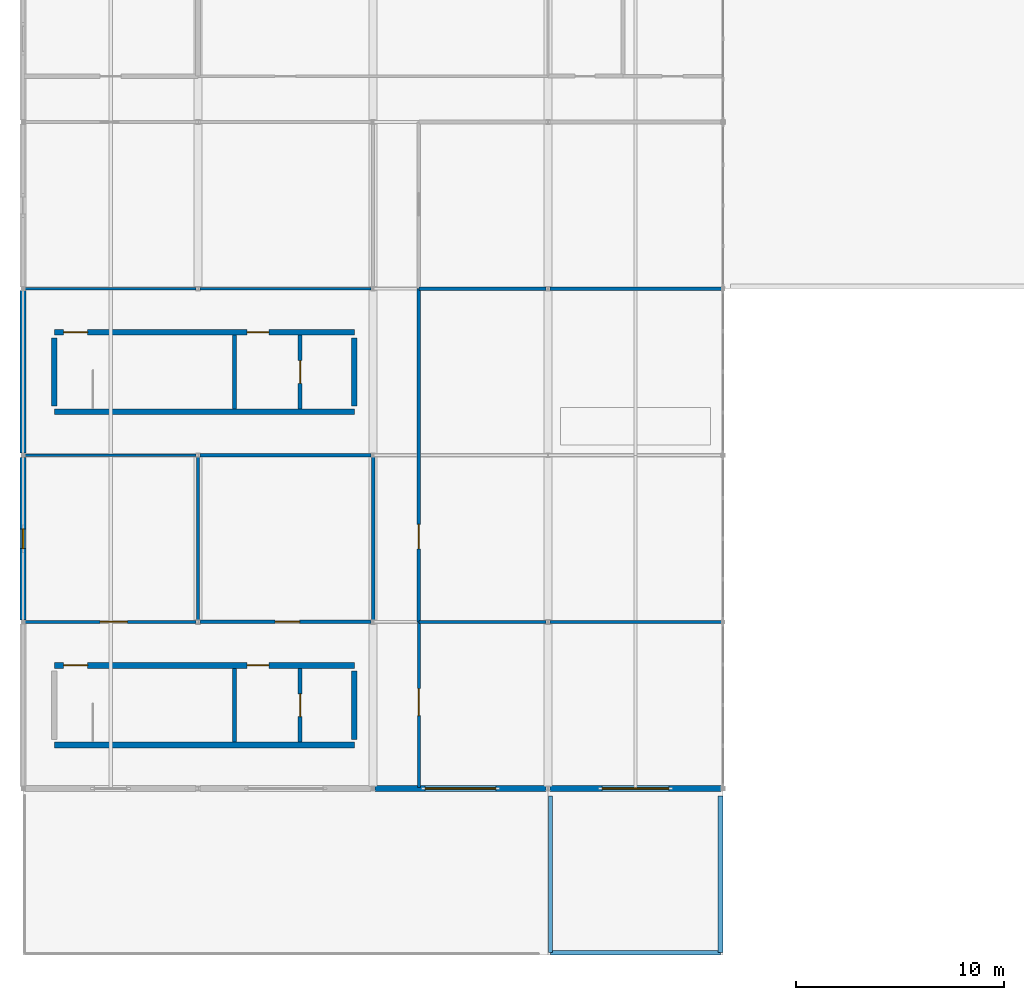
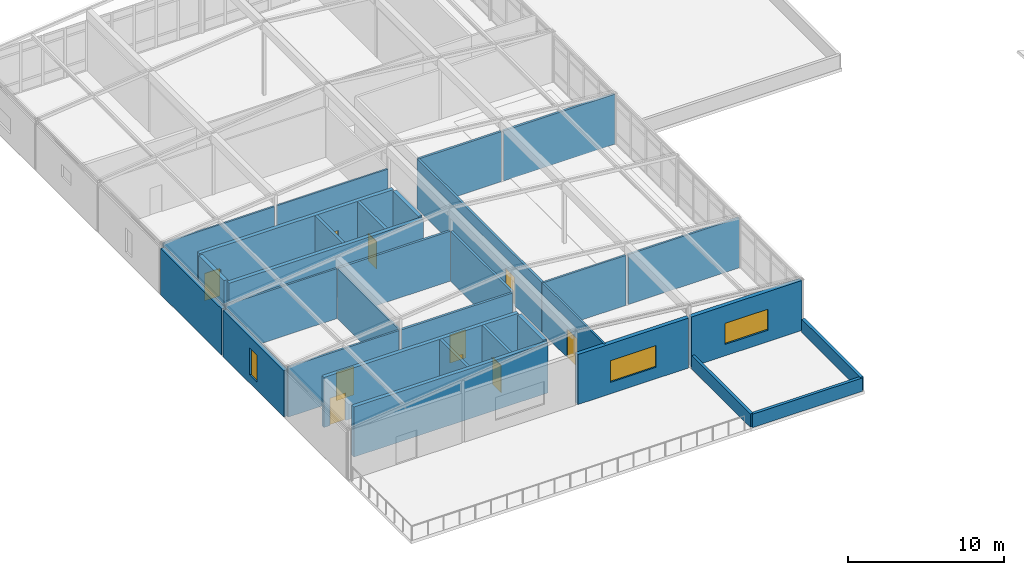
# One storey, part 18 of 25: 32 walls, 10 doors, 3 windows, 13 openings.
"""IFC4 building model written with IfcOpenShell, lengths in metres."""

from ifc_helpers import new_model, si_unit, direction, frame, frame_2d, origin, place, context, subcontext, project, spatial, rectangle, extrude, material, layer, layer_set, type_object, element, fill, save


model = new_model("IFC4")

# Units and contexts
model_context = context("Model", 3, precision=1e-05, world=origin(), true_north=direction((0.0, 1.0)))
body_context = subcontext(model_context, "Body", "Model", "MODEL_VIEW")
ifc_project = project(units=[si_unit("LENGTHUNIT", "METRE"), si_unit("AREAUNIT", "SQUARE_METRE"), si_unit("VOLUMEUNIT", "CUBIC_METRE"), si_unit("PLANEANGLEUNIT", "RADIAN"), si_unit("MASSUNIT", "GRAM", prefix="KILO")], contexts=[model_context])

# Site, building, storey
site_placement = place(None, origin())
site = spatial("IfcSite", under=ifc_project, at=site_placement, CompositionType="ELEMENT")
building_placement = place(site_placement, origin())
building = spatial("IfcBuilding", under=site, at=building_placement, Name="Kranzveld Transit Interchange", CompositionType="ELEMENT")
storey_placement = place(building_placement, frame((0.0, 0.0, 21.0400390625)))
storey = spatial("IfcBuildingStorey", under=building, at=storey_placement, Name="L05", CompositionType="ELEMENT", Elevation=21.0400390625)

# Wall, opening, door
ifc_material_1 = material(Name="Clay masonry unit wall, 20 MPa", Category="masonry")
ifc_layer_1 = layer(ifc_material_1, 0.1650390625)
ifc_layer_set_1 = layer_set([ifc_layer_1], Name="Clay masonry unit wall, 20 MPa")
wall_type_1 = type_object("IfcWallType", Name="Acoustic Double-Stud Partition 165", PredefinedType="PARTITIONING", material=ifc_layer_set_1)
wall_1_placement = place(storey_placement, frame((19.0, 72.0, 0.0), z_axis=(0.0, 0.0, 1.0), x_axis=(0.0, 1.0, 0.0)))
wall_1 = element("IfcWall", 1, at=wall_1_placement, inside=storey, type_object=wall_type_1, Name="L05 Partition IW-L05-L05E-FRT-502-0", PredefinedType="PARTITIONING", context=body_context, shape_type="SweptSolid", body=[
    extrude(rectangle(XDim=16.0, YDim=0.1650390625, at=frame_2d((8.0, 0.0))), origin(), (0.0, 0.0, 1.0), 3.919921875),
])
opening_1_placement = place(wall_1_placement, frame((4.679931640625, 0.0, 0.0), z_axis=(0.0, 0.0, 1.0), x_axis=(-1.0, 0.0, 0.0)))
opening_1 = element("IfcOpeningElement", 2, at=opening_1_placement, cuts=wall_1, Name="Opening D-502", PredefinedType="OPENING", context=body_context, shape_type="SweptSolid", body=[
    extrude(rectangle(XDim=1.179931640625, YDim=2.219970703125, at=frame_2d((0.58984375, 1.10986328125))), frame((0.0, 0.092529296875, 0.0), z_axis=(0.0, -1.0, 0.0), x_axis=(1.0, 0.0, 0.0)), (0.0, 0.0, 1.0), 0.18505859375),
])
ifc_material_2 = material(Name="Bronze-anodised thermally broken aluminium", Category="aluminium")
door_type_1 = type_object("IfcDoorType", Name="Boardroom Acoustic Door 1180x2220", OperationType="NOTDEFINED", PredefinedType="DOOR", material=ifc_material_2)
door_1_placement = place(opening_1_placement, origin())
door_1 = element("IfcDoor", 3, at=door_1_placement, inside=storey, type_object=door_type_1, Name="L05 Interior Door D-502", OperationType="SINGLE_SWING_RIGHT", OverallHeight=2.219970703125, OverallWidth=1.179931640625, PredefinedType="DOOR", context=body_context, shape_type="SweptSolid", body=[
    extrude(rectangle(XDim=1.179931640625, YDim=2.219970703125, at=frame_2d((0.58984375, 1.10986328125))), frame((0.0, 0.02490234375, 0.0), z_axis=(0.0, -1.0, 0.0), x_axis=(1.0, 0.0, 0.0)), (0.0, 0.0, 1.0), 0.050048828125),
])
fill(opening_1, door_1)

wall_2_placement = place(storey_placement, frame((8.49169921875, 72.0, 0.0), z_axis=(0.0, 0.0, 1.0), x_axis=(1.0, 0.0, 0.0)))
wall_2 = element("IfcWall", 4, at=wall_2_placement, inside=storey, type_object=wall_type_1, Name="L05 Partition IW-L05-L05M-FRT-505-0", PredefinedType="PARTITIONING", context=body_context, shape_type="SweptSolid", body=[
    extrude(rectangle(XDim=8.216552734375, YDim=0.1650390625, at=frame_2d((4.1083984375, 0.0))), origin(), (0.0, 0.0, 1.0), 3.919921875),
])
opening_2_placement = place(wall_2_placement, frame((3.608154296875, 0.0, 0.0), z_axis=(0.0, 0.0, 1.0), x_axis=(1.0, 0.0, 0.0)))
opening_2 = element("IfcOpeningElement", 5, at=opening_2_placement, cuts=wall_2, Name="Opening D-505", PredefinedType="OPENING", context=body_context, shape_type="SweptSolid", body=[
    extrude(rectangle(XDim=1.179931640625, YDim=2.219970703125, at=frame_2d((0.58984375, 1.10986328125))), frame((0.0, 0.092529296875, 0.0), z_axis=(0.0, -1.0, 0.0), x_axis=(1.0, 0.0, 0.0)), (0.0, 0.0, 1.0), 0.18505859375),
])
door_2_placement = place(opening_2_placement, origin())
door_2 = element("IfcDoor", 6, at=door_2_placement, inside=storey, type_object=door_type_1, Name="L05 Interior Door D-505", OperationType="SINGLE_SWING_RIGHT", OverallHeight=2.219970703125, OverallWidth=1.179931640625, PredefinedType="DOOR", context=body_context, shape_type="SweptSolid", body=[
    extrude(rectangle(XDim=1.179931640625, YDim=2.219970703125, at=frame_2d((0.58984375, 1.10986328125))), frame((0.0, 0.02490234375, 0.0), z_axis=(0.0, -1.0, 0.0), x_axis=(1.0, 0.0, 0.0)), (0.0, 0.0, 1.0), 0.050048828125),
])
fill(opening_2, door_2)

# Walls
wall_3_placement = place(storey_placement, frame((19.0, 88.0, 0.0), z_axis=(0.0, 0.0, 1.0), x_axis=(1.0, 0.0, 0.0)))
element("IfcWall", 7, at=wall_3_placement, inside=storey, type_object=wall_type_1, Name="L05 Partition IW-L05-L05E-N-502-0", PredefinedType="PARTITIONING", context=body_context, shape_type="SweptSolid", body=[
    extrude(rectangle(XDim=6.108154296875, YDim=0.1650390625, at=frame_2d((3.05419921875, 0.0))), origin(), (0.0, 0.0, 1.0), 3.919921875),
])
wall_4_placement = place(storey_placement, frame((25.291748046875, 88.0, 0.0), z_axis=(0.0, 0.0, 1.0), x_axis=(1.0, 0.0, 0.0)))
element("IfcWall", 8, at=wall_4_placement, inside=storey, type_object=wall_type_1, Name="L05 Partition IW-L05-L05E-N-502-1", PredefinedType="PARTITIONING", context=body_context, shape_type="SweptSolid", body=[
    extrude(rectangle(XDim=8.228271484375, YDim=0.1650390625, at=frame_2d((4.1142578125, 0.0))), origin(), (0.0, 0.0, 1.0), 3.919921875),
])
wall_5_placement = place(storey_placement, frame((8.49169921875, 80.0, 0.0), z_axis=(0.0, 0.0, 1.0), x_axis=(1.0, 0.0, 0.0)))
element("IfcWall", 9, at=wall_5_placement, inside=storey, type_object=wall_type_1, Name="L05 Partition IW-L05-L05M-BCK-505-0", PredefinedType="PARTITIONING", context=body_context, shape_type="SweptSolid", body=[
    extrude(rectangle(XDim=8.216552734375, YDim=0.1650390625, at=frame_2d((4.1083984375, 0.0))), origin(), (0.0, 0.0, 1.0), 3.919921875),
])
wall_6_placement = place(storey_placement, frame((16.800048828125, 72.091552734375, 0.0), z_axis=(0.0, 0.0, 1.0), x_axis=(0.0, 1.0, 0.0)))
element("IfcWall", 10, at=wall_6_placement, inside=storey, type_object=wall_type_1, Name="L05 Partition IW-L05-L05M-E-505-0", PredefinedType="PARTITIONING", context=body_context, shape_type="SweptSolid", body=[
    extrude(rectangle(XDim=7.81689453125, YDim=0.1650390625, at=frame_2d((3.908447265625, 0.0))), origin(), (0.0, 0.0, 1.0), 3.919921875),
])

# Wall, opening, door
ifc_material_3 = material(Name="Clay masonry unit wall, 20 MPa", Category="masonry")
ifc_layer_2 = layer(ifc_material_3, 0.139892578125)
ifc_layer_set_2 = layer_set([ifc_layer_2], Name="Clay masonry unit wall, 20 MPa")
wall_type_2 = type_object("IfcWallType", Name="Acoustic Stud Partition 140", PredefinedType="PARTITIONING", material=ifc_layer_set_2)
wall_7_placement = place(storey_placement, frame((19.0, 64.0400390625, 0.0), z_axis=(0.0, 0.0, 1.0), x_axis=(0.0, 1.0, 0.0)))
wall_7 = element("IfcWall", 11, at=wall_7_placement, inside=storey, type_object=wall_type_2, Name="L05 Partition IW-L05-L05E-FRT-503-0", PredefinedType="PARTITIONING", context=body_context, shape_type="SweptSolid", body=[
    extrude(rectangle(XDim=7.9599609375, YDim=0.139892578125, at=frame_2d((3.97998046875, 0.0))), origin(), (0.0, 0.0, 1.0), 3.919921875),
])
opening_3_placement = place(wall_7_placement, frame((4.760009765625, 0.0, 0.0), z_axis=(0.0, 0.0, 1.0), x_axis=(-1.0, 0.0, 0.0)))
opening_3 = element("IfcOpeningElement", 12, at=opening_3_placement, cuts=wall_7, Name="Opening D-503", PredefinedType="OPENING", context=body_context, shape_type="SweptSolid", body=[
    extrude(rectangle(XDim=1.300048828125, YDim=2.25, at=frame_2d((0.64990234375, 1.125))), frame((0.0, 0.079833984375, 0.0), z_axis=(0.0, -1.0, 0.0), x_axis=(1.0, 0.0, 0.0)), (0.0, 0.0, 1.0), 0.159912109375),
])
ifc_material_4 = material(Name="Bronze-anodised thermally broken aluminium", Category="aluminium")
door_type_2 = type_object("IfcDoorType", Name="Exhibition Double Leaf Door 1300x2250", OperationType="NOTDEFINED", PredefinedType="DOOR", material=ifc_material_4)
door_3_placement = place(opening_3_placement, origin())
door_3 = element("IfcDoor", 13, at=door_3_placement, inside=storey, type_object=door_type_2, Name="L05 Interior Door D-503", OperationType="SINGLE_SWING_LEFT", OverallHeight=2.25, OverallWidth=1.300048828125, PredefinedType="DOOR", context=body_context, shape_type="SweptSolid", body=[
    extrude(rectangle(XDim=1.300048828125, YDim=2.25, at=frame_2d((0.64990234375, 1.125))), frame((0.0, 0.02490234375, 0.0), z_axis=(0.0, -1.0, 0.0), x_axis=(1.0, 0.0, 0.0)), (0.0, 0.0, 1.0), 0.050048828125),
])
fill(opening_3, door_3)

wall_8_placement = place(storey_placement, frame((0.080078125, 72.0, 0.0), z_axis=(0.0, 0.0, 1.0), x_axis=(1.0, 0.0, 0.0)))
wall_8 = element("IfcWall", 14, at=wall_8_placement, inside=storey, type_object=wall_type_2, Name="L05 Partition IW-L05-L05M-FRT-504-0", PredefinedType="PARTITIONING", context=body_context, shape_type="SweptSolid", body=[
    extrude(rectangle(XDim=8.22802734375, YDim=0.139892578125, at=frame_2d((4.114013671875, 0.0))), origin(), (0.0, 0.0, 1.0), 3.919921875),
])
opening_4_placement = place(wall_8_placement, frame((3.6201171875, 0.0, 0.0), z_axis=(0.0, 0.0, 1.0), x_axis=(1.0, 0.0, 0.0)))
opening_4 = element("IfcOpeningElement", 15, at=opening_4_placement, cuts=wall_8, Name="Opening D-504", PredefinedType="OPENING", context=body_context, shape_type="SweptSolid", body=[
    extrude(rectangle(XDim=1.300048828125, YDim=2.25, at=frame_2d((0.64990234375, 1.125))), frame((0.0, 0.079833984375, 0.0), z_axis=(0.0, -1.0, 0.0), x_axis=(1.0, 0.0, 0.0)), (0.0, 0.0, 1.0), 0.159912109375),
])
door_4_placement = place(opening_4_placement, origin())
door_4 = element("IfcDoor", 16, at=door_4_placement, inside=storey, type_object=door_type_2, Name="L05 Interior Door D-504", OperationType="SINGLE_SWING_LEFT", OverallHeight=2.25, OverallWidth=1.300048828125, PredefinedType="DOOR", context=body_context, shape_type="SweptSolid", body=[
    extrude(rectangle(XDim=1.300048828125, YDim=2.25, at=frame_2d((0.64990234375, 1.125))), frame((0.0, 0.02490234375, 0.0), z_axis=(0.0, -1.0, 0.0), x_axis=(1.0, 0.0, 0.0)), (0.0, 0.0, 1.0), 0.050048828125),
])
fill(opening_4, door_4)

# Walls
wall_9_placement = place(storey_placement, frame((19.0, 72.0, 0.0), z_axis=(0.0, 0.0, 1.0), x_axis=(1.0, 0.0, 0.0)))
element("IfcWall", 17, at=wall_9_placement, inside=storey, type_object=wall_type_2, Name="L05 Partition IW-L05-L05E-N-503-0", PredefinedType="PARTITIONING", context=body_context, shape_type="SweptSolid", body=[
    extrude(rectangle(XDim=6.108154296875, YDim=0.139892578125, at=frame_2d((3.05419921875, 0.0))), origin(), (0.0, 0.0, 1.0), 3.919921875),
])
wall_10_placement = place(storey_placement, frame((25.291748046875, 72.0, 0.0), z_axis=(0.0, 0.0, 1.0), x_axis=(1.0, 0.0, 0.0)))
element("IfcWall", 18, at=wall_10_placement, inside=storey, type_object=wall_type_2, Name="L05 Partition IW-L05-L05E-N-503-1", PredefinedType="PARTITIONING", context=body_context, shape_type="SweptSolid", body=[
    extrude(rectangle(XDim=8.228271484375, YDim=0.139892578125, at=frame_2d((4.1142578125, 0.0))), origin(), (0.0, 0.0, 1.0), 3.919921875),
])
wall_11_placement = place(storey_placement, frame((0.090087890625, 80.0, 0.0), z_axis=(0.0, 0.0, 1.0), x_axis=(1.0, 0.0, 0.0)))
element("IfcWall", 19, at=wall_11_placement, inside=storey, type_object=wall_type_2, Name="L05 Partition IW-L05-L05M-BCK-504-0", PredefinedType="PARTITIONING", context=body_context, shape_type="SweptSolid", body=[
    extrude(rectangle(XDim=8.218017578125, YDim=0.139892578125, at=frame_2d((4.10888671875, 0.0))), origin(), (0.0, 0.0, 1.0), 3.919921875),
])
wall_12_placement = place(storey_placement, frame((8.39990234375, 72.091552734375, 0.0), z_axis=(0.0, 0.0, 1.0), x_axis=(0.0, 1.0, 0.0)))
element("IfcWall", 20, at=wall_12_placement, inside=storey, type_object=wall_type_2, Name="L05 Partition IW-L05-L05M-E-504-0", PredefinedType="PARTITIONING", context=body_context, shape_type="SweptSolid", body=[
    extrude(rectangle(XDim=7.81689453125, YDim=0.139892578125, at=frame_2d((3.908447265625, 0.0))), origin(), (0.0, 0.0, 1.0), 3.919921875),
])
ifc_material_5 = material(Name="Concrete C40/50", Category="concrete")
ifc_layer_3 = layer(ifc_material_5, 0.27490234375)
ifc_layer_set_3 = layer_set([ifc_layer_3], Name="Concrete C40/50")
wall_type_3 = type_object("IfcWallType", Name="Core Upper Wall RC 275 C40/50", PredefinedType="SHEAR", material=ifc_layer_set_3)
wall_13_placement = place(storey_placement, frame((1.5, 66.090087890625, 0.0), z_axis=(0.0, 0.0, 1.0), x_axis=(1.0, 0.0, 0.0)))
element("IfcWall", 21, at=wall_13_placement, inside=storey, type_object=wall_type_3, Name="L05 Operations Core C1 Shear Wall S", PredefinedType="SHEAR", context=body_context, shape_type="SweptSolid", body=[
    extrude(rectangle(XDim=14.39990234375, YDim=0.27490234375, at=frame_2d((7.199951171875, 0.0))), origin(), (0.0, 0.0, 1.0), 3.919921875),
])

# Wall, openings, doors
wall_14_placement = place(storey_placement, frame((1.5, 69.909912109375, 0.0), z_axis=(0.0, 0.0, 1.0), x_axis=(1.0, 0.0, 0.0)))
wall_14 = element("IfcWall", 22, at=wall_14_placement, inside=storey, type_object=wall_type_3, Name="L05 Operations Core C1 Shear Wall N", PredefinedType="SHEAR", context=body_context, shape_type="SweptSolid", body=[
    extrude(rectangle(XDim=14.39990234375, YDim=0.27490234375, at=frame_2d((7.199951171875, 0.0))), origin(), (0.0, 0.0, 1.0), 3.919921875),
])
opening_5_placement = place(wall_14_placement, frame((0.449951171875, 0.0, 0.0), z_axis=(0.0, 0.0, 1.0), x_axis=(1.0, 0.0, 0.0)))
opening_5 = element("IfcOpeningElement", 23, at=opening_5_placement, cuts=wall_14, Name="Opening D-ST-C1-L05", PredefinedType="OPENING", context=body_context, shape_type="SweptSolid", body=[
    extrude(rectangle(XDim=1.14990234375, YDim=2.14990234375, at=frame_2d((0.574951171875, 1.074951171875))), frame((0.0, 0.1474609375, 0.0), z_axis=(0.0, -1.0, 0.0), x_axis=(1.0, 0.0, 0.0)), (0.0, 0.0, 1.0), 0.294921875),
])
opening_6_placement = place(wall_14_placement, frame((9.25, 0.0, 0.0), z_axis=(0.0, 0.0, 1.0), x_axis=(1.0, 0.0, 0.0)))
opening_6 = element("IfcOpeningElement", 24, at=opening_6_placement, cuts=wall_14, Name="Opening D-LB-C1-L05", PredefinedType="OPENING", context=body_context, shape_type="SweptSolid", body=[
    extrude(rectangle(XDim=1.050048828125, YDim=2.14990234375, at=frame_2d((0.52490234375, 1.074951171875))), frame((0.0, 0.1474609375, 0.0), z_axis=(0.0, -1.0, 0.0), x_axis=(1.0, 0.0, 0.0)), (0.0, 0.0, 1.0), 0.294921875),
])
ifc_material_6 = material(Name="Steel S355JR", Category="steel")
door_type_3 = type_object("IfcDoorType", Name="Lift Lobby Fire Door 1050x2150 FD120S", OperationType="NOTDEFINED", PredefinedType="DOOR", material=ifc_material_6)
door_5_placement = place(opening_6_placement, origin())
door_5 = element("IfcDoor", 25, at=door_5_placement, inside=storey, type_object=door_type_3, Name="L05 Operations Core C1 Lift Protected Lobby Door", OperationType="SINGLE_SWING_RIGHT", OverallHeight=2.14990234375, OverallWidth=1.050048828125, PredefinedType="DOOR", context=body_context, shape_type="SweptSolid", body=[
    extrude(rectangle(XDim=1.050048828125, YDim=2.14990234375, at=frame_2d((0.52490234375, 1.074951171875))), frame((0.0, 0.02490234375, 0.0), z_axis=(0.0, -1.0, 0.0), x_axis=(1.0, 0.0, 0.0)), (0.0, 0.0, 1.0), 0.050048828125),
])
fill(opening_6, door_5)
ifc_material_7 = material(Name="Steel S355JR", Category="steel")
door_type_4 = type_object("IfcDoorType", Name="Stair Core Fire Door 1150x2150 FD120S", OperationType="NOTDEFINED", PredefinedType="DOOR", material=ifc_material_7)
door_6_placement = place(opening_5_placement, origin())
door_6 = element("IfcDoor", 26, at=door_6_placement, inside=storey, type_object=door_type_4, Name="L05 ST-C1 Protected Stair Door", OperationType="SINGLE_SWING_RIGHT", OverallHeight=2.14990234375, OverallWidth=1.14990234375, PredefinedType="DOOR", context=body_context, shape_type="SweptSolid", body=[
    extrude(rectangle(XDim=1.14990234375, YDim=2.14990234375, at=frame_2d((0.574951171875, 1.074951171875))), frame((0.0, 0.02490234375, 0.0), z_axis=(0.0, -1.0, 0.0), x_axis=(1.0, 0.0, 0.0)), (0.0, 0.0, 1.0), 0.050048828125),
])
fill(opening_5, door_6)

# Walls
wall_15_placement = place(storey_placement, frame((15.89990234375, 66.364990234375, 0.0), z_axis=(0.0, 0.0, 1.0), x_axis=(0.0, 1.0, 0.0)))
element("IfcWall", 27, at=wall_15_placement, inside=storey, type_object=wall_type_3, Name="L05 Operations Core C1 Shear Wall E", PredefinedType="SHEAR", context=body_context, shape_type="SweptSolid", body=[
    extrude(rectangle(XDim=3.27001953125, YDim=0.27490234375, at=frame_2d((1.635009765625, 0.0))), origin(), (0.0, 0.0, 1.0), 3.919921875),
])
wall_16_placement = place(storey_placement, frame((1.5, 82.090087890625, 0.0), z_axis=(0.0, 0.0, 1.0), x_axis=(1.0, 0.0, 0.0)))
element("IfcWall", 28, at=wall_16_placement, inside=storey, type_object=wall_type_3, Name="L05 Operations Core C2 Shear Wall S", PredefinedType="SHEAR", context=body_context, shape_type="SweptSolid", body=[
    extrude(rectangle(XDim=14.39990234375, YDim=0.27490234375, at=frame_2d((7.199951171875, 0.0))), origin(), (0.0, 0.0, 1.0), 3.919921875),
])

# Wall, openings, doors
wall_17_placement = place(storey_placement, frame((1.5, 85.909912109375, 0.0), z_axis=(0.0, 0.0, 1.0), x_axis=(1.0, 0.0, 0.0)))
wall_17 = element("IfcWall", 29, at=wall_17_placement, inside=storey, type_object=wall_type_3, Name="L05 Operations Core C2 Shear Wall N", PredefinedType="SHEAR", context=body_context, shape_type="SweptSolid", body=[
    extrude(rectangle(XDim=14.39990234375, YDim=0.27490234375, at=frame_2d((7.199951171875, 0.0))), origin(), (0.0, 0.0, 1.0), 3.919921875),
])
opening_7_placement = place(wall_17_placement, frame((0.449951171875, 0.0, 0.0), z_axis=(0.0, 0.0, 1.0), x_axis=(1.0, 0.0, 0.0)))
opening_7 = element("IfcOpeningElement", 30, at=opening_7_placement, cuts=wall_17, Name="Opening D-ST-C2-L05", PredefinedType="OPENING", context=body_context, shape_type="SweptSolid", body=[
    extrude(rectangle(XDim=1.14990234375, YDim=2.14990234375, at=frame_2d((0.574951171875, 1.074951171875))), frame((0.0, 0.1474609375, 0.0), z_axis=(0.0, -1.0, 0.0), x_axis=(1.0, 0.0, 0.0)), (0.0, 0.0, 1.0), 0.294921875),
])
opening_8_placement = place(wall_17_placement, frame((9.25, 0.0, 0.0), z_axis=(0.0, 0.0, 1.0), x_axis=(1.0, 0.0, 0.0)))
opening_8 = element("IfcOpeningElement", 31, at=opening_8_placement, cuts=wall_17, Name="Opening D-LB-C2-L05", PredefinedType="OPENING", context=body_context, shape_type="SweptSolid", body=[
    extrude(rectangle(XDim=1.050048828125, YDim=2.14990234375, at=frame_2d((0.52490234375, 1.074951171875))), frame((0.0, 0.1474609375, 0.0), z_axis=(0.0, -1.0, 0.0), x_axis=(1.0, 0.0, 0.0)), (0.0, 0.0, 1.0), 0.294921875),
])
door_7_placement = place(opening_8_placement, origin())
door_7 = element("IfcDoor", 32, at=door_7_placement, inside=storey, type_object=door_type_3, Name="L05 Operations Core C2 Lift Protected Lobby Door", OperationType="SINGLE_SWING_RIGHT", OverallHeight=2.14990234375, OverallWidth=1.050048828125, PredefinedType="DOOR", context=body_context, shape_type="SweptSolid", body=[
    extrude(rectangle(XDim=1.050048828125, YDim=2.14990234375, at=frame_2d((0.52490234375, 1.074951171875))), frame((0.0, 0.02490234375, 0.0), z_axis=(0.0, -1.0, 0.0), x_axis=(1.0, 0.0, 0.0)), (0.0, 0.0, 1.0), 0.050048828125),
])
fill(opening_8, door_7)
door_8_placement = place(opening_7_placement, origin())
door_8 = element("IfcDoor", 33, at=door_8_placement, inside=storey, type_object=door_type_4, Name="L05 ST-C2 Protected Stair Door", OperationType="SINGLE_SWING_RIGHT", OverallHeight=2.14990234375, OverallWidth=1.14990234375, PredefinedType="DOOR", context=body_context, shape_type="SweptSolid", body=[
    extrude(rectangle(XDim=1.14990234375, YDim=2.14990234375, at=frame_2d((0.574951171875, 1.074951171875))), frame((0.0, 0.02490234375, 0.0), z_axis=(0.0, -1.0, 0.0), x_axis=(1.0, 0.0, 0.0)), (0.0, 0.0, 1.0), 0.050048828125),
])
fill(opening_7, door_8)

# Walls
for number, where, z_axis, x_axis, name in (
    (34, (1.5, 82.364990234375, 0.0), (0.0, 0.0, 1.0), (0.0, 1.0, 0.0), "L05 Operations Core C2 Shear Wall W"),
    (35, (15.89990234375, 82.364990234375, 0.0), (0.0, 0.0, 1.0), (0.0, 1.0, 0.0), "L05 Operations Core C2 Shear Wall E"),
):
    element("IfcWall", number, at=place(storey_placement, frame(where, z_axis=z_axis, x_axis=x_axis)), inside=storey, type_object=wall_type_3, Name=name, PredefinedType="SHEAR", context=body_context, shape_type="SweptSolid", body=[
        extrude(rectangle(XDim=3.27001953125, YDim=0.27490234375, at=frame_2d((1.635009765625, 0.0))), origin(), (0.0, 0.0, 1.0), 3.919921875),
    ])

# Wall, opening, window
ifc_material_8 = material(Name="Ochre Pretoria sandstone cladding, 45 MPa", Category="masonry")
ifc_layer_4 = layer(ifc_material_8, 0.300048828125)
ifc_layer_set_4 = layer_set([ifc_layer_4], Name="Ochre Pretoria sandstone cladding, 45 MPa")
wall_type_4 = type_object("IfcWallType", Name="Exterior Sandstone Spandrel Wall 300", PredefinedType="SOLIDWALL", material=ifc_layer_set_4)
wall_18_placement = place(storey_placement, frame((0.0, 72.090087890625, 0.0), z_axis=(0.0, 0.0, 1.0), x_axis=(0.0, 1.0, 0.0)))
wall_18 = element("IfcWall", 36, at=wall_18_placement, inside=storey, type_object=wall_type_4, Name="L05 Clinker Facade Wall 01/K-01/L", PredefinedType="SOLIDWALL", context=body_context, shape_type="SweptSolid", body=[
    extrude(rectangle(XDim=7.809814453125, YDim=0.300048828125, at=frame_2d((3.90478515625, 0.0))), origin(), (0.0, 0.0, 1.0), 3.619873046875),
])
opening_9_placement = place(wall_18_placement, frame((3.429931640625, 0.0, 0.64990234375), z_axis=(0.0, 0.0, 1.0), x_axis=(1.0, 0.0, 0.0)))
opening_9 = element("IfcOpeningElement", 37, at=opening_9_placement, cuts=wall_18, Name="Opening W-17", PredefinedType="OPENING", context=body_context, shape_type="SweptSolid", body=[
    extrude(rectangle(XDim=0.949951171875, YDim=2.10009765625, at=frame_2d((0.47509765625, 1.050048828125))), frame((0.0, 0.159912109375, 0.0), z_axis=(0.0, -1.0, 0.0), x_axis=(1.0, 0.0, 0.0)), (0.0, 0.0, 1.0), 0.320068359375),
])
ifc_material_9 = material(Name="Solar-control double glazing", Category="glass")
window_type_1 = type_object("IfcWindowType", Name="Window Ladder Slot 950x2100", PartitioningType="SINGLE_PANEL", PredefinedType="WINDOW", material=ifc_material_9)
window_1_placement = place(opening_9_placement, origin())
window_1 = element("IfcWindow", 38, at=window_1_placement, inside=storey, type_object=window_type_1, Name="L05 Facade Window 01/K", OverallHeight=2.10009765625, OverallWidth=0.949951171875, PartitioningType="SINGLE_PANEL", PredefinedType="WINDOW", context=body_context, shape_type="SweptSolid", body=[
    extrude(rectangle(XDim=0.949951171875, YDim=2.10009765625, at=frame_2d((0.47509765625, 1.050048828125))), frame((0.0, 0.030029296875, 0.0), z_axis=(0.0, -1.0, 0.0), x_axis=(1.0, 0.0, 0.0)), (0.0, 0.0, 1.0), 0.06005859375),
])
fill(opening_9, window_1)

# Wall
wall_19_placement = place(storey_placement, frame((0.0, 80.10009765625, 0.0), z_axis=(0.0, 0.0, 1.0), x_axis=(0.0, 1.0, 0.0)))
element("IfcWall", 39, at=wall_19_placement, inside=storey, type_object=wall_type_4, Name="L05 Clinker Facade Wall 01/L-01/M", PredefinedType="SOLIDWALL", context=body_context, shape_type="SweptSolid", body=[
    extrude(rectangle(XDim=7.809814453125, YDim=0.300048828125, at=frame_2d((3.90478515625, 0.0))), origin(), (0.0, 0.0, 1.0), 3.619873046875),
])

# Wall, opening, window
wall_20_placement = place(storey_placement, frame((16.90185546875, 64.0, 0.0), z_axis=(0.0, 0.0, 1.0), x_axis=(1.0, 0.0, 0.0)))
wall_20 = element("IfcWall", 40, at=wall_20_placement, inside=storey, type_object=wall_type_4, Name="L05 Clinker Facade Wall 03/J-04/J", PredefinedType="SOLIDWALL", context=body_context, shape_type="SweptSolid", body=[
    extrude(rectangle(XDim=8.1962890625, YDim=0.300048828125, at=frame_2d((4.09814453125, 0.0))), origin(), (0.0, 0.0, 1.0), 3.919921875),
])
opening_10_placement = place(wall_20_placement, frame((2.398193359375, 0.0, 0.89990234375), z_axis=(0.0, 0.0, 1.0), x_axis=(1.0, 0.0, 0.0)))
opening_10 = element("IfcOpeningElement", 41, at=opening_10_placement, cuts=wall_20, Name="Opening W-02", PredefinedType="OPENING", context=body_context, shape_type="SweptSolid", body=[
    extrude(rectangle(XDim=3.39990234375, YDim=1.699951171875, at=frame_2d((1.699951171875, 0.85009765625))), frame((0.0, 0.159912109375, 0.0), z_axis=(0.0, -1.0, 0.0), x_axis=(1.0, 0.0, 0.0)), (0.0, 0.0, 1.0), 0.320068359375),
])
ifc_material_10 = material(Name="Solar-control double glazing", Category="glass")
window_type_2 = type_object("IfcWindowType", Name="Window Ribbon Triple 3400x1700", PartitioningType="TRIPLE_PANEL_VERTICAL", PredefinedType="WINDOW", material=ifc_material_10)
window_2_placement = place(opening_10_placement, origin())
window_2 = element("IfcWindow", 42, at=window_2_placement, inside=storey, type_object=window_type_2, Name="L05 Facade Window 03/J", OverallHeight=1.699951171875, OverallWidth=3.39990234375, PartitioningType="TRIPLE_PANEL_VERTICAL", PredefinedType="WINDOW", context=body_context, shape_type="SweptSolid", body=[
    extrude(rectangle(XDim=3.39990234375, YDim=1.699951171875, at=frame_2d((1.699951171875, 0.85009765625))), frame((0.0, 0.030029296875, 0.0), z_axis=(0.0, -1.0, 0.0), x_axis=(1.0, 0.0, 0.0)), (0.0, 0.0, 1.0), 0.06005859375),
])
fill(opening_10, window_2)

wall_21_placement = place(storey_placement, frame((25.3017578125, 64.0, 0.0), z_axis=(0.0, 0.0, 1.0), x_axis=(1.0, 0.0, 0.0)))
wall_21 = element("IfcWall", 43, at=wall_21_placement, inside=storey, type_object=wall_type_4, Name="L05 Clinker Facade Wall 04/J-05/J", PredefinedType="SOLIDWALL", context=body_context, shape_type="SweptSolid", body=[
    extrude(rectangle(XDim=8.1982421875, YDim=0.300048828125, at=frame_2d((4.09912109375, 0.0))), origin(), (0.0, 0.0, 1.0), 3.919921875),
])
opening_11_placement = place(wall_21_placement, frame((2.4990234375, 0.0, 0.89990234375), z_axis=(0.0, 0.0, 1.0), x_axis=(1.0, 0.0, 0.0)))
opening_11 = element("IfcOpeningElement", 44, at=opening_11_placement, cuts=wall_21, Name="Opening W-03", PredefinedType="OPENING", context=body_context, shape_type="SweptSolid", body=[
    extrude(rectangle(XDim=3.199951171875, YDim=1.64990234375, at=frame_2d((1.60009765625, 0.824951171875))), frame((0.0, 0.159912109375, 0.0), z_axis=(0.0, -1.0, 0.0), x_axis=(1.0, 0.0, 0.0)), (0.0, 0.0, 1.0), 0.320068359375),
])
ifc_material_11 = material(Name="Solar-control double glazing", Category="glass")
window_type_3 = type_object("IfcWindowType", Name="Window Ribbon Triple 3200x1650", PartitioningType="TRIPLE_PANEL_VERTICAL", PredefinedType="WINDOW", material=ifc_material_11)
window_3_placement = place(opening_11_placement, origin())
window_3 = element("IfcWindow", 45, at=window_3_placement, inside=storey, type_object=window_type_3, Name="L05 Facade Window 04/J", OverallHeight=1.64990234375, OverallWidth=3.199951171875, PartitioningType="TRIPLE_PANEL_VERTICAL", PredefinedType="WINDOW", context=body_context, shape_type="SweptSolid", body=[
    extrude(rectangle(XDim=3.199951171875, YDim=1.64990234375, at=frame_2d((1.60009765625, 0.824951171875))), frame((0.0, 0.030029296875, 0.0), z_axis=(0.0, -1.0, 0.0), x_axis=(1.0, 0.0, 0.0)), (0.0, 0.0, 1.0), 0.06005859375),
])
fill(opening_11, window_3)

# Walls
ifc_material_12 = material(Name="Clay masonry unit wall, 20 MPa", Category="masonry")
ifc_layer_5 = layer(ifc_material_12, 0.125)
ifc_layer_set_5 = layer_set([ifc_layer_5], Name="Clay masonry unit wall, 20 MPa")
wall_type_5 = type_object("IfcWallType", Name="Internal Blockwork Partition 125", PredefinedType="PARTITIONING", material=ifc_layer_set_5)
wall_22_placement = place(storey_placement, frame((0.080078125, 88.0, 0.0), z_axis=(0.0, 0.0, 1.0), x_axis=(1.0, 0.0, 0.0)))
element("IfcWall", 46, at=wall_22_placement, inside=storey, type_object=wall_type_5, Name="L05 Partition IW-L05-L05M2-BCK-510-0", PredefinedType="PARTITIONING", context=body_context, shape_type="SweptSolid", body=[
    extrude(rectangle(XDim=8.22802734375, YDim=0.125, at=frame_2d((4.114013671875, 0.0))), origin(), (0.0, 0.0, 1.0), 3.919921875),
])
wall_23_placement = place(storey_placement, frame((8.49169921875, 88.0, 0.0), z_axis=(0.0, 0.0, 1.0), x_axis=(1.0, 0.0, 0.0)))
element("IfcWall", 47, at=wall_23_placement, inside=storey, type_object=wall_type_5, Name="L05 Partition IW-L05-L05M2-BCK-510-1", PredefinedType="PARTITIONING", context=body_context, shape_type="SweptSolid", body=[
    extrude(rectangle(XDim=8.216552734375, YDim=0.125, at=frame_2d((4.1083984375, 0.0))), origin(), (0.0, 0.0, 1.0), 3.919921875),
])
ifc_material_13 = material(Name="Concrete C40/50", Category="concrete")
ifc_layer_6 = layer(ifc_material_13, 0.199951171875)
ifc_layer_set_6 = layer_set([ifc_layer_6], Name="Concrete C40/50")
wall_type_6 = type_object("IfcWallType", Name="Lift Shaft Enclosure Wall RC 200 EI120", PredefinedType="SHEAR", material=ifc_layer_set_6)
wall_24_placement = place(storey_placement, frame((10.14990234375, 66.2275390625, 0.0), z_axis=(0.0, 0.0, 1.0), x_axis=(0.0, 1.0, 0.0)))
element("IfcWall", 48, at=wall_24_placement, inside=storey, type_object=wall_type_6, Name="L05 Operations Core C1 Stair-Lobby Dividing Wall", PredefinedType="SHEAR", context=body_context, shape_type="SweptSolid", body=[
    extrude(rectangle(XDim=3.544921875, YDim=0.199951171875, at=frame_2d((1.7724609375, 0.0))), origin(), (0.0, 0.0, 1.0), 3.919921875),
])

# Wall, opening, door
wall_25_placement = place(storey_placement, frame((13.300048828125, 66.2275390625, 0.0), z_axis=(0.0, 0.0, 1.0), x_axis=(0.0, 1.0, 0.0)))
wall_25 = element("IfcWall", 49, at=wall_25_placement, inside=storey, type_object=wall_type_6, Name="L05 LF-C1 Shaft Front Wall", PredefinedType="SHEAR", context=body_context, shape_type="SweptSolid", body=[
    extrude(rectangle(XDim=3.544921875, YDim=0.199951171875, at=frame_2d((1.7724609375, 0.0))), origin(), (0.0, 0.0, 1.0), 3.919921875),
])
opening_12_placement = place(wall_25_placement, frame((1.222412109375, 0.0, 0.0), z_axis=(0.0, 0.0, 1.0), x_axis=(1.0, 0.0, 0.0)))
opening_12 = element("IfcOpeningElement", 50, at=opening_12_placement, cuts=wall_25, Name="Opening LD-LF-C1-L05", PredefinedType="OPENING", context=body_context, shape_type="SweptSolid", body=[
    extrude(rectangle(XDim=1.10009765625, YDim=2.14990234375, at=frame_2d((0.550048828125, 1.074951171875))), frame((0.0, 0.10986328125, 0.0), z_axis=(0.0, -1.0, 0.0), x_axis=(1.0, 0.0, 0.0)), (0.0, 0.0, 1.0), 0.219970703125),
])
ifc_material_14 = material(Name="Steel S355JR", Category="steel")
door_type_5 = type_object("IfcDoorType", Name="Lift Landing Sliding Door 1100x2150 FD120S", OperationType="NOTDEFINED", PredefinedType="DOOR", material=ifc_material_14)
door_9_placement = place(opening_12_placement, origin())
door_9 = element("IfcDoor", 51, at=door_9_placement, inside=storey, type_object=door_type_5, Name="L05 LF-C1 Sliding Landing Door", OperationType="DOUBLE_DOOR_SLIDING", OverallHeight=2.14990234375, OverallWidth=1.10009765625, PredefinedType="DOOR", context=body_context, shape_type="SweptSolid", body=[
    extrude(rectangle(XDim=1.10009765625, YDim=2.14990234375, at=frame_2d((0.550048828125, 1.074951171875))), frame((0.0, 0.02490234375, 0.0), z_axis=(0.0, -1.0, 0.0), x_axis=(1.0, 0.0, 0.0)), (0.0, 0.0, 1.0), 0.050048828125),
])
fill(opening_12, door_9)

# Wall
wall_26_placement = place(storey_placement, frame((10.14990234375, 82.2275390625, 0.0), z_axis=(0.0, 0.0, 1.0), x_axis=(0.0, 1.0, 0.0)))
element("IfcWall", 52, at=wall_26_placement, inside=storey, type_object=wall_type_6, Name="L05 Operations Core C2 Stair-Lobby Dividing Wall", PredefinedType="SHEAR", context=body_context, shape_type="SweptSolid", body=[
    extrude(rectangle(XDim=3.544921875, YDim=0.199951171875, at=frame_2d((1.7724609375, 0.0))), origin(), (0.0, 0.0, 1.0), 3.919921875),
])

# Wall, opening, door
wall_27_placement = place(storey_placement, frame((13.300048828125, 82.2275390625, 0.0), z_axis=(0.0, 0.0, 1.0), x_axis=(0.0, 1.0, 0.0)))
wall_27 = element("IfcWall", 53, at=wall_27_placement, inside=storey, type_object=wall_type_6, Name="L05 LF-C2 Shaft Front Wall", PredefinedType="SHEAR", context=body_context, shape_type="SweptSolid", body=[
    extrude(rectangle(XDim=3.544921875, YDim=0.199951171875, at=frame_2d((1.7724609375, 0.0))), origin(), (0.0, 0.0, 1.0), 3.919921875),
])
opening_13_placement = place(wall_27_placement, frame((1.222412109375, 0.0, 0.0), z_axis=(0.0, 0.0, 1.0), x_axis=(1.0, 0.0, 0.0)))
opening_13 = element("IfcOpeningElement", 54, at=opening_13_placement, cuts=wall_27, Name="Opening LD-LF-C2-L05", PredefinedType="OPENING", context=body_context, shape_type="SweptSolid", body=[
    extrude(rectangle(XDim=1.10009765625, YDim=2.14990234375, at=frame_2d((0.550048828125, 1.074951171875))), frame((0.0, 0.10986328125, 0.0), z_axis=(0.0, -1.0, 0.0), x_axis=(1.0, 0.0, 0.0)), (0.0, 0.0, 1.0), 0.219970703125),
])
door_10_placement = place(opening_13_placement, origin())
door_10 = element("IfcDoor", 55, at=door_10_placement, inside=storey, type_object=door_type_5, Name="L05 LF-C2 Sliding Landing Door", OperationType="DOUBLE_DOOR_SLIDING", OverallHeight=2.14990234375, OverallWidth=1.10009765625, PredefinedType="DOOR", context=body_context, shape_type="SweptSolid", body=[
    extrude(rectangle(XDim=1.10009765625, YDim=2.14990234375, at=frame_2d((0.550048828125, 1.074951171875))), frame((0.0, 0.02490234375, 0.0), z_axis=(0.0, -1.0, 0.0), x_axis=(1.0, 0.0, 0.0)), (0.0, 0.0, 1.0), 0.050048828125),
])
fill(opening_13, door_10)

# Walls
ifc_material_15 = material(Name="Pretoria red-purple clinker clay face brick, 35 MPa", Category="masonry")
ifc_layer_7 = layer(ifc_material_15, 0.22998046875)
ifc_layer_set_7 = layer_set([ifc_layer_7], Name="Pretoria red-purple clinker clay face brick, 35 MPa")
wall_type_7 = type_object("IfcWallType", Name="Roof Parapet Wall Clinker Brick 230", PredefinedType="PARAPET", material=ifc_layer_set_7)
wall_28_placement = place(storey_placement, frame((33.47998046875, 63.64990234375, 0.0), z_axis=(0.0, 0.0, 1.0), x_axis=(0.0, -1.0, 0.0)))
element("IfcWall", 56, at=wall_28_placement, inside=storey, type_object=wall_type_7, Name="L05 Roof Parapet 046", PredefinedType="PARAPET", context=body_context, shape_type="SweptSolid", body=[
    extrude(rectangle(XDim=7.52978515625, YDim=0.22998046875, at=frame_2d((3.764892578125, 0.0))), origin(), (0.0, 0.0, 1.0), 1.050048828125),
])
ifc_material_16 = material(Name="Dark Pretoria clinker clay plinth brick, 40 MPa", Category="masonry")
ifc_layer_8 = layer(ifc_material_16, 0.215087890625)
ifc_layer_set_8 = layer_set([ifc_layer_8], Name="Dark Pretoria clinker clay plinth brick, 40 MPa")
wall_type_8 = type_object("IfcWallType", Name="Terrace Parapet Upstand Brick 215", PredefinedType="PARAPET", material=ifc_layer_set_8)
wall_29_placement = place(storey_placement, frame((25.320068359375, 56.1201171875, 0.0), z_axis=(0.0, 0.0, 1.0), x_axis=(0.0, 1.0, 0.0)))
element("IfcWall", 57, at=wall_29_placement, inside=storey, type_object=wall_type_8, Name="L05 Roof Parapet 045", PredefinedType="PARAPET", context=body_context, shape_type="SweptSolid", body=[
    extrude(rectangle(XDim=7.52978515625, YDim=0.215087890625, at=frame_2d((3.764892578125, 0.0))), origin(), (0.0, 0.0, 1.0), 1.050048828125),
])
wall_30_placement = place(storey_placement, frame((33.47998046875, 56.1201171875, 0.0), z_axis=(0.0, 0.0, 1.0), x_axis=(-1.0, 0.0, 0.0)))
element("IfcWall", 58, at=wall_30_placement, inside=storey, type_object=wall_type_8, Name="L05 Roof Parapet 047", PredefinedType="PARAPET", context=body_context, shape_type="SweptSolid", body=[
    extrude(rectangle(XDim=8.159912109375, YDim=0.215087890625, at=frame_2d((4.080078125, 0.0))), origin(), (0.0, 0.0, 1.0), 1.050048828125),
])

save(model, "model.ifc")
